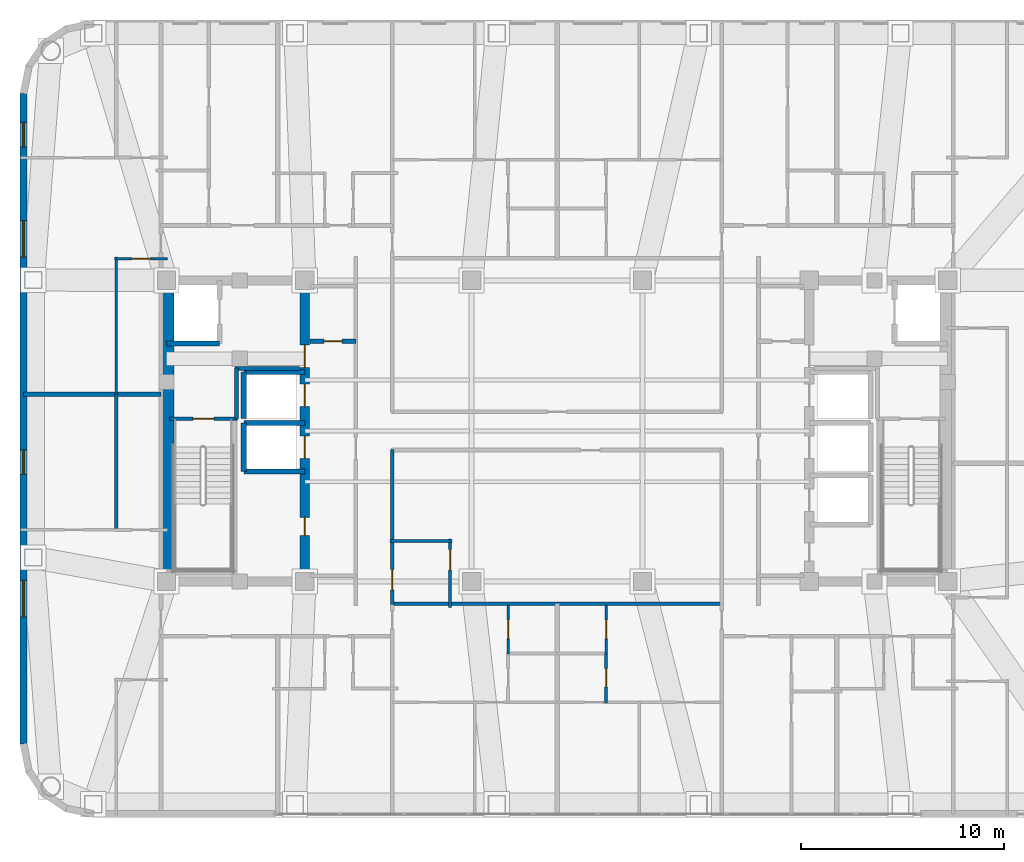
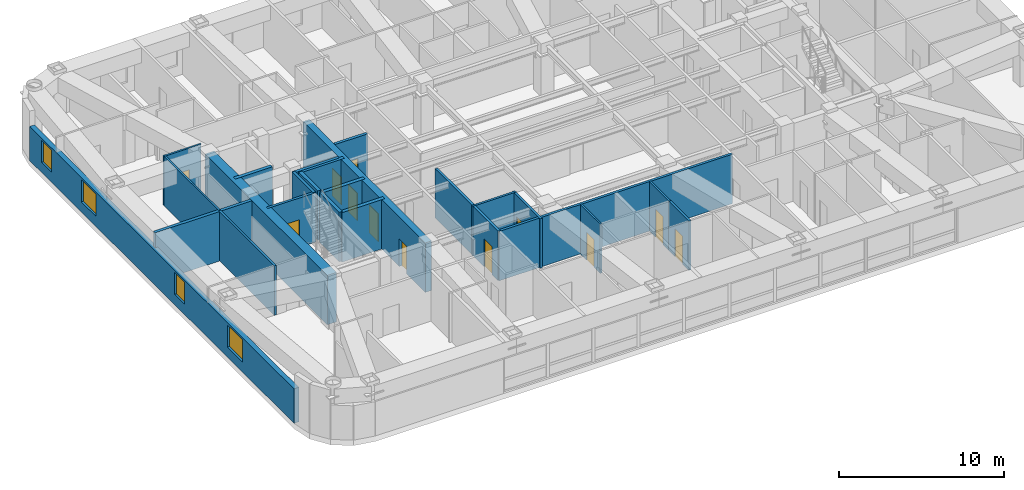
# One storey, part 9 of 16: 24 walls, 12 doors, 4 windows, 16 openings.
"""IFC4 building model written with IfcOpenShell, lengths in metres."""

from ifc_helpers import new_model, si_unit, direction, frame, frame_2d, origin, place, context, subcontext, project, spatial, rectangle, extrude, material, layer, layer_set, type_object, element, fill, save


model = new_model("IFC4")

# Units and contexts
model_context = context("Model", 3, precision=1e-05, world=origin(), true_north=direction((0.0, 1.0)))
body_context = subcontext(model_context, "Body", "Model", "MODEL_VIEW")
ifc_project = project(units=[si_unit("LENGTHUNIT", "METRE"), si_unit("AREAUNIT", "SQUARE_METRE"), si_unit("VOLUMEUNIT", "CUBIC_METRE"), si_unit("PLANEANGLEUNIT", "RADIAN"), si_unit("MASSUNIT", "GRAM", prefix="KILO")], contexts=[model_context])

# Site, building, storey
site_placement = place(None, origin())
site = spatial("IfcSite", under=ifc_project, at=site_placement, CompositionType="ELEMENT")
building_placement = place(site_placement, origin())
building = spatial("IfcBuilding", under=site, at=building_placement, Name="Voryun Gate Residences", CompositionType="ELEMENT")
storey_placement = place(building_placement, frame((0.0, 0.0, 200.199951171875)))
storey = spatial("IfcBuildingStorey", under=building, at=storey_placement, Name="L49", CompositionType="ELEMENT", Elevation=200.199951171875)

# Wall, openings, doors
ifc_material_1 = material(Name="Concrete C50/60", Category="concrete")
ifc_layer_1 = layer(ifc_material_1, 0.449951171875, Name="CW_CORE_450")
ifc_layer_set_1 = layer_set([ifc_layer_1], Name="Concrete C50/60")
wall_type_1 = type_object("IfcWallType", Name="CW_CORE_450", PredefinedType="SHEAR", material=ifc_layer_set_1)
wall_1_placement = place(storey_placement, frame((-12.39990234375, -7.39990234375, 0.0), z_axis=(0.0, 0.0, 1.0), x_axis=(0.0, 1.0, 0.0)))
wall_1 = element("IfcWall", 1, at=wall_1_placement, inside=storey, type_object=wall_type_1, Name="L49 Core shear wall CW-L49-WE", PredefinedType="SHEAR", context=body_context, shape_type="SweptSolid", body=[
    extrude(rectangle(XDim=14.7998046875, YDim=0.449951171875, at=frame_2d((7.39990234375, 0.0))), origin(), (0.0, 0.0, 1.0), 3.650146484375),
])
opening_1_placement = place(wall_1_placement, frame((6.050048828125, 0.0, 0.0)))
opening_1 = element("IfcOpeningElement", 2, at=opening_1_placement, cuts=wall_1, Name="Opening LD2", PredefinedType="OPENING", context=body_context, shape_type="SweptSolid", body=[
    extrude(rectangle(XDim=1.10009765625, YDim=2.050048828125, at=frame_2d((0.550048828125, 1.02490234375))), frame((0.0, 0.235107421875, 0.0), z_axis=(0.0, -1.0, 0.0), x_axis=(1.0, 0.0, 0.0)), (0.0, 0.0, 1.0), 0.469970703125),
])
opening_2_placement = place(wall_1_placement, frame((8.60009765625, 0.0, 0.0)))
opening_2 = element("IfcOpeningElement", 3, at=opening_2_placement, cuts=wall_1, Name="Opening LD2", PredefinedType="OPENING", context=body_context, shape_type="SweptSolid", body=[
    extrude(rectangle(XDim=1.10009765625, YDim=2.050048828125, at=frame_2d((0.550048828125, 1.02490234375))), frame((0.0, 0.235107421875, 0.0), z_axis=(0.0, -1.0, 0.0), x_axis=(1.0, 0.0, 0.0)), (0.0, 0.0, 1.0), 0.469970703125),
])
opening_3_placement = place(wall_1_placement, frame((10.530029296875, 0.0, 0.0)))
opening_3 = element("IfcOpeningElement", 4, at=opening_3_placement, cuts=wall_1, Name="Opening D-FD60-2", PredefinedType="OPENING", context=body_context, shape_type="SweptSolid", body=[
    extrude(rectangle(XDim=1.10009765625, YDim=2.050048828125, at=frame_2d((0.550048828125, 1.02490234375))), frame((0.0, 0.235107421875, 0.0), z_axis=(0.0, -1.0, 0.0), x_axis=(1.0, 0.0, 0.0)), (0.0, 0.0, 1.0), 0.469970703125),
])
opening_4_placement = place(wall_1_placement, frame((2.25, 0.0, 0.0)))
opening_4 = element("IfcOpeningElement", 5, at=opening_4_placement, cuts=wall_1, Name="Opening D-FD60-4", PredefinedType="OPENING", context=body_context, shape_type="SweptSolid", body=[
    extrude(rectangle(XDim=0.89990234375, YDim=2.050048828125, at=frame_2d((0.449951171875, 1.02490234375))), frame((0.0, 0.235107421875, 0.0), z_axis=(0.0, -1.0, 0.0), x_axis=(1.0, 0.0, 0.0)), (0.0, 0.0, 1.0), 0.469970703125),
])
ifc_material_2 = material(Name="Painted steel fire door", Category="steel")
door_type_1 = type_object("IfcDoorType", Name="DR_FD60_FFLOB_1100", OperationType="NOTDEFINED", PredefinedType="DOOR", material=ifc_material_2)
door_1_placement = place(opening_3_placement, origin())
door_1 = element("IfcDoor", 6, at=door_1_placement, inside=storey, type_object=door_type_1, Name="Door DR-L49-CLOB-W", OperationType="SINGLE_SWING_LEFT", OverallHeight=2.050048828125, OverallWidth=1.10009765625, PredefinedType="DOOR", context=body_context, shape_type="SweptSolid", body=[
    extrude(rectangle(XDim=1.10009765625, YDim=2.050048828125, at=frame_2d((0.550048828125, 1.02490234375))), frame((0.0, 0.02490234375, 0.0), z_axis=(0.0, -1.0, 0.0), x_axis=(1.0, 0.0, 0.0)), (0.0, 0.0, 1.0), 0.050048828125),
])
fill(opening_3, door_1)
ifc_material_3 = material(Name="Painted steel fire door", Category="steel")
door_type_2 = type_object("IfcDoorType", Name="DR_FD60_RISER_900", OperationType="NOTDEFINED", PredefinedType="DOOR", material=ifc_material_3)
door_2_placement = place(opening_4_placement, origin())
door_2 = element("IfcDoor", 7, at=door_2_placement, inside=storey, type_object=door_type_2, Name="Door DR-L49-RECW1", OperationType="SINGLE_SWING_LEFT", OverallHeight=2.050048828125, OverallWidth=0.89990234375, PredefinedType="DOOR", context=body_context, shape_type="SweptSolid", body=[
    extrude(rectangle(XDim=0.89990234375, YDim=2.050048828125, at=frame_2d((0.449951171875, 1.02490234375))), frame((0.0, 0.02490234375, 0.0), z_axis=(0.0, -1.0, 0.0), x_axis=(1.0, 0.0, 0.0)), (0.0, 0.0, 1.0), 0.050048828125),
])
fill(opening_4, door_2)
ifc_material_4 = material(Name="Anodised aluminium", Category="aluminium")
door_type_3 = type_object("IfcDoorType", Name="DR_LD_PASS_1100", OperationType="NOTDEFINED", PredefinedType="DOOR", material=ifc_material_4)
door_3_placement = place(opening_1_placement, origin())
door_3 = element("IfcDoor", 8, at=door_3_placement, inside=storey, type_object=door_type_3, Name="Lift EL-P4 sliding landing door L49", OperationType="SLIDING_TO_LEFT", OverallHeight=2.050048828125, OverallWidth=1.10009765625, PredefinedType="DOOR", context=body_context, shape_type="SweptSolid", body=[
    extrude(rectangle(XDim=1.10009765625, YDim=2.050048828125, at=frame_2d((0.550048828125, 1.02490234375))), frame((0.0, 0.02490234375, 0.0), z_axis=(0.0, -1.0, 0.0), x_axis=(1.0, 0.0, 0.0)), (0.0, 0.0, 1.0), 0.050048828125),
])
fill(opening_1, door_3)
door_4_placement = place(opening_2_placement, origin())
door_4 = element("IfcDoor", 9, at=door_4_placement, inside=storey, type_object=door_type_3, Name="Lift EL-P7 sliding landing door L49", OperationType="SLIDING_TO_LEFT", OverallHeight=2.050048828125, OverallWidth=1.10009765625, PredefinedType="DOOR", context=body_context, shape_type="SweptSolid", body=[
    extrude(rectangle(XDim=1.10009765625, YDim=2.050048828125, at=frame_2d((0.550048828125, 1.02490234375))), frame((0.0, 0.02490234375, 0.0), z_axis=(0.0, -1.0, 0.0), x_axis=(1.0, 0.0, 0.0)), (0.0, 0.0, 1.0), 0.050048828125),
])
fill(opening_2, door_4)

# Wall
ifc_material_5 = material(Name="Concrete C60/75", Category="concrete")
ifc_layer_2 = layer(ifc_material_5, 0.64990234375, Name="CW_CORE_650")
ifc_layer_set_2 = layer_set([ifc_layer_2], Name="Concrete C60/75")
wall_type_2 = type_object("IfcWallType", Name="CW_CORE_650", PredefinedType="SHEAR", material=ifc_layer_set_2)
wall_2_placement = place(storey_placement, frame((-19.14501953125, -7.39990234375, 0.0), z_axis=(0.0, 0.0, 1.0), x_axis=(0.0, 1.0, 0.0)))
element("IfcWall", 10, at=wall_2_placement, inside=storey, type_object=wall_type_2, Name="L49 Core shear wall CW-L49-WW", PredefinedType="SHEAR", context=body_context, shape_type="SweptSolid", body=[
    extrude(rectangle(XDim=14.7998046875, YDim=0.64990234375, at=frame_2d((7.39990234375, 0.0))), origin(), (0.0, 0.0, 1.0), 3.650146484375),
])

# Wall, opening, door
ifc_material_6 = material(Name="Gypsum acoustic fireboard")
ifc_layer_3 = layer(ifc_material_6, 0.179931640625, Name="W_CORR_RATED_180")
ifc_layer_set_3 = layer_set([ifc_layer_3], Name="Gypsum acoustic fireboard")
wall_type_3 = type_object("IfcWallType", Name="W_CORR_RATED_180", PredefinedType="PARTITIONING", material=ifc_layer_set_3)
wall_3_placement = place(storey_placement, frame((-19.06005859375, 0.60009765625, 0.0), z_axis=(0.0, 0.0, 1.0), x_axis=(1.0, 0.0, 0.0)))
wall_3 = element("IfcWall", 11, at=wall_3_placement, inside=storey, type_object=wall_type_3, Name="Partition wall WP-L49-STV-W", PredefinedType="PARTITIONING", context=body_context, shape_type="SweptSolid", body=[
    extrude(rectangle(XDim=3.360107421875, YDim=0.179931640625, at=frame_2d((1.68017578125, 0.0))), origin(), (0.0, 0.0, 1.0), 3.650146484375),
])
opening_5_placement = place(wall_3_placement, frame((1.155029296875, 0.0, 0.0)))
opening_5 = element("IfcOpeningElement", 12, at=opening_5_placement, cuts=wall_3, Name="Opening D-FD60-1", PredefinedType="OPENING", context=body_context, shape_type="SweptSolid", body=[
    extrude(rectangle(XDim=1.050048828125, YDim=2.050048828125, at=frame_2d((0.52490234375, 1.02490234375))), frame((0.0, 0.099853515625, 0.0), z_axis=(0.0, -1.0, 0.0), x_axis=(1.0, 0.0, 0.0)), (0.0, 0.0, 1.0), 0.199951171875),
])
ifc_material_7 = material(Name="Painted steel fire door", Category="steel")
door_type_4 = type_object("IfcDoorType", Name="DR_FD60_STAIR_1050", OperationType="NOTDEFINED", PredefinedType="DOOR", material=ifc_material_7)
door_5_placement = place(opening_5_placement, origin())
door_5 = element("IfcDoor", 13, at=door_5_placement, inside=storey, type_object=door_type_4, Name="Door DR-L49-ST-W", OperationType="SINGLE_SWING_LEFT", OverallHeight=2.050048828125, OverallWidth=1.050048828125, PredefinedType="DOOR", context=body_context, shape_type="SweptSolid", body=[
    extrude(rectangle(XDim=1.050048828125, YDim=2.050048828125, at=frame_2d((0.52490234375, 1.02490234375))), frame((0.0, 0.02490234375, 0.0), z_axis=(0.0, -1.0, 0.0), x_axis=(1.0, 0.0, 0.0)), (0.0, 0.0, 1.0), 0.050048828125),
])
fill(opening_5, door_5)

# Wall
wall_4_placement = place(storey_placement, frame((-8.14990234375, -8.489990234375, 0.0), z_axis=(0.0, 0.0, 1.0), x_axis=(1.0, 0.0, 0.0)))
element("IfcWall", 14, at=wall_4_placement, inside=storey, type_object=wall_type_3, Name="Partition wall WP-L49-Z2S", PredefinedType="PARTITIONING", context=body_context, shape_type="SweptSolid", body=[
    extrude(rectangle(XDim=16.2998046875, YDim=0.179931640625, at=frame_2d((8.14990234375, 0.0))), origin(), (0.0, 0.0, 1.0), 3.650146484375),
])

# Wall, opening, door
wall_5_placement = place(storey_placement, frame((-8.10009765625, -8.530029296875, 0.0), z_axis=(0.0, 0.0, 1.0), x_axis=(0.0, 1.0, 0.0)))
wall_5 = element("IfcWall", 15, at=wall_5_placement, inside=storey, type_object=wall_type_3, Name="Partition wall WP-L49-Z2WL2", PredefinedType="PARTITIONING", context=body_context, shape_type="SweptSolid", body=[
    extrude(rectangle(XDim=7.610107421875, YDim=0.179931640625, at=frame_2d((3.80517578125, 0.0))), origin(), (0.0, 0.0, 1.0), 3.650146484375),
])
opening_6_placement = place(wall_5_placement, frame((0.717529296875, 0.0, 0.0)))
opening_6 = element("IfcOpeningElement", 16, at=opening_6_placement, cuts=wall_5, Name="Opening D-AWC-1", PredefinedType="OPENING", context=body_context, shape_type="SweptSolid", body=[
    extrude(rectangle(XDim=1.0, YDim=2.050048828125, at=frame_2d((0.5, 1.02490234375))), frame((0.0, 0.099853515625, 0.0), z_axis=(0.0, -1.0, 0.0), x_axis=(1.0, 0.0, 0.0)), (0.0, 0.0, 1.0), 0.199951171875),
])
ifc_material_8 = material(Name="Architectural oak veneer")
door_type_5 = type_object("IfcDoorType", Name="DR_ACC_WC_1000", OperationType="NOTDEFINED", PredefinedType="DOOR", material=ifc_material_8)
door_6_placement = place(opening_6_placement, origin())
door_6 = element("IfcDoor", 17, at=door_6_placement, inside=storey, type_object=door_type_5, Name="Door DR-L49-CMWC-D", OperationType="SINGLE_SWING_LEFT", OverallHeight=2.050048828125, OverallWidth=1.0, PredefinedType="DOOR", context=body_context, shape_type="SweptSolid", body=[
    extrude(rectangle(XDim=1.0, YDim=2.050048828125, at=frame_2d((0.5, 1.02490234375))), frame((0.0, 0.02490234375, 0.0), z_axis=(0.0, -1.0, 0.0), x_axis=(1.0, 0.0, 0.0)), (0.0, 0.0, 1.0), 0.050048828125),
])
fill(opening_6, door_6)

# Wall, openings, windows
ifc_material_9 = material(Name="Charcoal terracotta masonry", Category="masonry")
ifc_layer_4 = layer(ifc_material_9, 0.340087890625, Name="W_EXT_TERRACOTTA_340")
ifc_layer_set_4 = layer_set([ifc_layer_4], Name="Charcoal terracotta masonry")
wall_type_4 = type_object("IfcWallType", Name="W_EXT_TERRACOTTA_340", PredefinedType="ELEMENTEDWALL", material=ifc_layer_set_4)
wall_6_placement = place(storey_placement, frame((-26.22998046875, -15.38330078125, 0.0), z_axis=(0.0, 0.0, 1.0), x_axis=(0.0, 1.0, 0.0)))
wall_6 = element("IfcWall", 18, at=wall_6_placement, inside=storey, type_object=wall_type_4, Name="Exterior wall WEXT-L49-06", PredefinedType="ELEMENTEDWALL", context=body_context, shape_type="SweptSolid", body=[
    extrude(rectangle(XDim=31.966552734375, YDim=0.340087890625, at=frame_2d((15.9833984375, 0.0))), origin(), (0.0, 0.0, 1.0), 2.5400390625),
])
opening_7_placement = place(wall_6_placement, frame((6.24169921875, 0.0, 0.75)))
opening_7 = element("IfcOpeningElement", 19, at=opening_7_placement, cuts=wall_6, Name="Opening WN1", PredefinedType="OPENING", context=body_context, shape_type="SweptSolid", body=[
    extrude(rectangle(XDim=1.800048828125, YDim=1.6298828125, at=frame_2d((0.89990234375, 0.81494140625))), frame((0.0, 0.179931640625, 0.0), z_axis=(0.0, -1.0, 0.0), x_axis=(1.0, 0.0, 0.0)), (0.0, 0.0, 1.0), 0.360107421875),
])
opening_8_placement = place(wall_6_placement, frame((23.925048828125, 0.0, 0.75)))
opening_8 = element("IfcOpeningElement", 20, at=opening_8_placement, cuts=wall_6, Name="Opening WN1", PredefinedType="OPENING", context=body_context, shape_type="SweptSolid", body=[
    extrude(rectangle(XDim=1.800048828125, YDim=1.6298828125, at=frame_2d((0.89990234375, 0.81494140625))), frame((0.0, 0.179931640625, 0.0), z_axis=(0.0, -1.0, 0.0), x_axis=(1.0, 0.0, 0.0)), (0.0, 0.0, 1.0), 0.360107421875),
])
opening_9_placement = place(wall_6_placement, frame((13.25341796875, 0.0, 0.75)))
opening_9 = element("IfcOpeningElement", 21, at=opening_9_placement, cuts=wall_6, Name="Opening WN6", PredefinedType="OPENING", context=body_context, shape_type="SweptSolid", body=[
    extrude(rectangle(XDim=1.199951171875, YDim=1.6298828125, at=frame_2d((0.60009765625, 0.81494140625))), frame((0.0, 0.179931640625, 0.0), z_axis=(0.0, -1.0, 0.0), x_axis=(1.0, 0.0, 0.0)), (0.0, 0.0, 1.0), 0.360107421875),
])
opening_10_placement = place(wall_6_placement, frame((29.348388671875, 0.0, 0.75)))
opening_10 = element("IfcOpeningElement", 22, at=opening_10_placement, cuts=wall_6, Name="Opening WN6", PredefinedType="OPENING", context=body_context, shape_type="SweptSolid", body=[
    extrude(rectangle(XDim=1.199951171875, YDim=1.6298828125, at=frame_2d((0.60009765625, 0.81494140625))), frame((0.0, 0.179931640625, 0.0), z_axis=(0.0, -1.0, 0.0), x_axis=(1.0, 0.0, 0.0)), (0.0, 0.0, 1.0), 0.360107421875),
])
ifc_material_10 = material(Name="Laminated low-E glass", Category="glass")
window_type_1 = type_object("IfcWindowType", Name="WN_POD_SLOT_1200", PartitioningType="SINGLE_PANEL", PredefinedType="WINDOW", material=ifc_material_10)
window_1_placement = place(opening_9_placement, origin())
window_1 = element("IfcWindow", 23, at=window_1_placement, inside=storey, type_object=window_type_1, Name="Window WN-L49-DWFIX-09", OverallHeight=1.6298828125, OverallWidth=1.199951171875, PartitioningType="SINGLE_PANEL", PredefinedType="WINDOW", context=body_context, shape_type="SweptSolid", body=[
    extrude(rectangle(XDim=1.199951171875, YDim=1.6298828125, at=frame_2d((0.60009765625, 0.81494140625))), frame((0.0, 0.030029296875, 0.0), z_axis=(0.0, -1.0, 0.0), x_axis=(1.0, 0.0, 0.0)), (0.0, 0.0, 1.0), 0.06005859375),
])
fill(opening_9, window_1)
window_2_placement = place(opening_10_placement, origin())
window_2 = element("IfcWindow", 24, at=window_2_placement, inside=storey, type_object=window_type_1, Name="Window WN-L49-DWFIX-10", OverallHeight=1.6298828125, OverallWidth=1.199951171875, PartitioningType="SINGLE_PANEL", PredefinedType="WINDOW", context=body_context, shape_type="SweptSolid", body=[
    extrude(rectangle(XDim=1.199951171875, YDim=1.6298828125, at=frame_2d((0.60009765625, 0.81494140625))), frame((0.0, 0.030029296875, 0.0), z_axis=(0.0, -1.0, 0.0), x_axis=(1.0, 0.0, 0.0)), (0.0, 0.0, 1.0), 0.06005859375),
])
fill(opening_10, window_2)
ifc_material_11 = material(Name="Laminated low-E glass", Category="glass")
window_type_2 = type_object("IfcWindowType", Name="WN_RES_PUNCH_1800", PartitioningType="SINGLE_PANEL", PredefinedType="WINDOW", material=ifc_material_11)
window_3_placement = place(opening_7_placement, origin())
window_3 = element("IfcWindow", 25, at=window_3_placement, inside=storey, type_object=window_type_2, Name="Window WN-WEXT-L49-06-01", OverallHeight=1.6298828125, OverallWidth=1.800048828125, PartitioningType="SINGLE_PANEL", PredefinedType="WINDOW", context=body_context, shape_type="SweptSolid", body=[
    extrude(rectangle(XDim=1.800048828125, YDim=1.6298828125, at=frame_2d((0.89990234375, 0.81494140625))), frame((0.0, 0.030029296875, 0.0), z_axis=(0.0, -1.0, 0.0), x_axis=(1.0, 0.0, 0.0)), (0.0, 0.0, 1.0), 0.06005859375),
])
fill(opening_7, window_3)
window_4_placement = place(opening_8_placement, origin())
window_4 = element("IfcWindow", 26, at=window_4_placement, inside=storey, type_object=window_type_2, Name="Window WN-WEXT-L49-06-02", OverallHeight=1.6298828125, OverallWidth=1.800048828125, PartitioningType="SINGLE_PANEL", PredefinedType="WINDOW", context=body_context, shape_type="SweptSolid", body=[
    extrude(rectangle(XDim=1.800048828125, YDim=1.6298828125, at=frame_2d((0.89990234375, 0.81494140625))), frame((0.0, 0.030029296875, 0.0), z_axis=(0.0, -1.0, 0.0), x_axis=(1.0, 0.0, 0.0)), (0.0, 0.0, 1.0), 0.06005859375),
])
fill(opening_8, window_4)

# Walls
ifc_material_12 = material(Name="Concrete C40/50", Category="concrete")
ifc_layer_5 = layer(ifc_material_12, 0.199951171875, Name="W_FF_LOBBY_200")
ifc_layer_set_5 = layer_set([ifc_layer_5], Name="Concrete C40/50")
wall_type_5 = type_object("IfcWallType", Name="W_FF_LOBBY_200", PredefinedType="PARTITIONING", material=ifc_layer_set_5)
wall_7_placement = place(storey_placement, frame((-15.760009765625, 0.580078125, 0.0), z_axis=(0.0, 0.0, 1.0), x_axis=(0.0, 1.0, 0.0)))
element("IfcWall", 27, at=wall_7_placement, inside=storey, type_object=wall_type_5, Name="Partition wall WP-L49-FFP0-W", PredefinedType="PARTITIONING", context=body_context, shape_type="SweptSolid", body=[
    extrude(rectangle(XDim=2.52001953125, YDim=0.199951171875, at=frame_2d((1.260009765625, 0.0))), origin(), (0.0, 0.0, 1.0), 3.650146484375),
])
wall_8_placement = place(storey_placement, frame((-15.820068359375, 3.06005859375, 0.0), z_axis=(0.0, 0.0, 1.0), x_axis=(1.0, 0.0, 0.0)))
element("IfcWall", 28, at=wall_8_placement, inside=storey, type_object=wall_type_5, Name="Partition wall WP-L49-FFPS-W", PredefinedType="PARTITIONING", context=body_context, shape_type="SweptSolid", body=[
    extrude(rectangle(XDim=3.16015625, YDim=0.199951171875, at=frame_2d((1.580078125, 0.0))), origin(), (0.0, 0.0, 1.0), 3.650146484375),
])

# Wall, opening, door
wall_9_placement = place(storey_placement, frame((-12.14990234375, 4.409912109375, 0.0), z_axis=(0.0, 0.0, 1.0), x_axis=(1.0, 0.0, 0.0)))
wall_9 = element("IfcWall", 29, at=wall_9_placement, inside=storey, type_object=wall_type_5, Name="Partition wall WP-L49-CSFLKS-W", PredefinedType="PARTITIONING", context=body_context, shape_type="SweptSolid", body=[
    extrude(rectangle(XDim=2.27001953125, YDim=0.199951171875, at=frame_2d((1.135009765625, 0.0))), origin(), (0.0, 0.0, 1.0), 3.650146484375),
])
opening_11_placement = place(wall_9_placement, frame((0.68505859375, 0.0, 0.0)))
opening_11 = element("IfcOpeningElement", 30, at=opening_11_placement, cuts=wall_9, Name="Opening D-FD60-4", PredefinedType="OPENING", context=body_context, shape_type="SweptSolid", body=[
    extrude(rectangle(XDim=0.89990234375, YDim=2.050048828125, at=frame_2d((0.449951171875, 1.02490234375))), frame((0.0, 0.110107421875, 0.0), z_axis=(0.0, -1.0, 0.0), x_axis=(1.0, 0.0, 0.0)), (0.0, 0.0, 1.0), 0.219970703125),
])
door_7_placement = place(opening_11_placement, origin())
door_7 = element("IfcDoor", 31, at=door_7_placement, inside=storey, type_object=door_type_2, Name="Door DR-L49-CSFLK-W", OperationType="SINGLE_SWING_LEFT", OverallHeight=2.050048828125, OverallWidth=0.89990234375, PredefinedType="DOOR", context=body_context, shape_type="SweptSolid", body=[
    extrude(rectangle(XDim=0.89990234375, YDim=2.050048828125, at=frame_2d((0.449951171875, 1.02490234375))), frame((0.0, 0.02490234375, 0.0), z_axis=(0.0, -1.0, 0.0), x_axis=(1.0, 0.0, 0.0)), (0.0, 0.0, 1.0), 0.050048828125),
])
fill(opening_11, door_7)

# Walls
ifc_material_13 = material(Name="Concrete C40/50", Category="concrete")
ifc_layer_6 = layer(ifc_material_13, 0.219970703125, Name="W_PARTY_ACOUSTIC_220")
ifc_layer_set_6 = layer_set([ifc_layer_6], Name="Concrete C40/50")
wall_type_6 = type_object("IfcWallType", Name="W_PARTY_ACOUSTIC_220", PredefinedType="PARTITIONING", material=ifc_layer_set_6)
wall_10_placement = place(storey_placement, frame((-19.469970703125, 1.800048828125, 0.0), z_axis=(0.0, 0.0, 1.0), x_axis=(-1.0, 0.0, 0.0)))
element("IfcWall", 32, at=wall_10_placement, inside=storey, type_object=wall_type_6, Name="Partition wall WP-L49-WPTY", PredefinedType="PARTITIONING", context=body_context, shape_type="SweptSolid", body=[
    extrude(rectangle(XDim=6.760009765625, YDim=0.219970703125, at=frame_2d((3.3798828125, 0.0))), origin(), (0.0, 0.0, 1.0), 3.650146484375),
])
ifc_material_14 = material(Name="Concrete C50/60", Category="concrete")
ifc_layer_7 = layer(ifc_material_14, 0.25, Name="W_SHAFT_RC250")
ifc_layer_set_7 = layer_set([ifc_layer_7], Name="Concrete C50/60")
wall_type_7 = type_object("IfcWallType", Name="W_SHAFT_RC250", PredefinedType="SOLIDWALL", material=ifc_layer_set_7)
wall_11_placement = place(storey_placement, frame((-19.199951171875, 4.300048828125, 0.0), z_axis=(0.0, 0.0, 1.0), x_axis=(1.0, 0.0, 0.0)))
element("IfcWall", 33, at=wall_11_placement, inside=storey, type_object=wall_type_7, Name="Lift shaft wall WSH-L49-EL-FF-W1-S", PredefinedType="SOLIDWALL", context=body_context, shape_type="SweptSolid", body=[
    extrude(rectangle(XDim=2.599853515625, YDim=0.25, at=frame_2d((1.2998046875, 0.0))), origin(), (0.0, 0.0, 1.0), 3.650146484375),
])
for number, where, z_axis, x_axis, name in (
    (34, (-15.39990234375, -2.0, 0.0), (0.0, 0.0, 1.0), (1.0, 0.0, 0.0), "Lift shaft wall WSH-L49-EL-P4-S"),
    (35, (-12.39990234375, 0.39990234375, 0.0), (0.0, 0.0, 1.0), (-1.0, 0.0, 0.0), "Lift shaft wall WSH-L49-EL-P4-N"),
):
    element("IfcWall", number, at=place(storey_placement, frame(where, z_axis=z_axis, x_axis=x_axis)), inside=storey, type_object=wall_type_7, Name=name, PredefinedType="SOLIDWALL", context=body_context, shape_type="SweptSolid", body=[
        extrude(rectangle(XDim=3.0, YDim=0.25, at=frame_2d((1.5, 0.0))), origin(), (0.0, 0.0, 1.0), 3.650146484375),
    ])
wall_12_placement = place(storey_placement, frame((-15.39990234375, 0.39990234375, 0.0), z_axis=(0.0, 0.0, 1.0), x_axis=(0.0, -1.0, 0.0)))
element("IfcWall", 36, at=wall_12_placement, inside=storey, type_object=wall_type_7, Name="Lift shaft wall WSH-L49-EL-P4-W", PredefinedType="SOLIDWALL", context=body_context, shape_type="SweptSolid", body=[
    extrude(rectangle(XDim=2.39990234375, YDim=0.25, at=frame_2d((1.199951171875, 0.0))), origin(), (0.0, 0.0, 1.0), 3.650146484375),
])
wall_13_placement = place(storey_placement, frame((-12.39990234375, 2.89990234375, 0.0), z_axis=(0.0, 0.0, 1.0), x_axis=(-1.0, 0.0, 0.0)))
element("IfcWall", 37, at=wall_13_placement, inside=storey, type_object=wall_type_7, Name="Lift shaft wall WSH-L49-EL-P7-N", PredefinedType="SOLIDWALL", context=body_context, shape_type="SweptSolid", body=[
    extrude(rectangle(XDim=3.0, YDim=0.25, at=frame_2d((1.5, 0.0))), origin(), (0.0, 0.0, 1.0), 3.650146484375),
])
wall_14_placement = place(storey_placement, frame((-15.39990234375, 2.89990234375, 0.0), z_axis=(0.0, 0.0, 1.0), x_axis=(0.0, -1.0, 0.0)))
element("IfcWall", 38, at=wall_14_placement, inside=storey, type_object=wall_type_7, Name="Lift shaft wall WSH-L49-EL-P7-W", PredefinedType="SOLIDWALL", context=body_context, shape_type="SweptSolid", body=[
    extrude(rectangle(XDim=2.2998046875, YDim=0.25, at=frame_2d((1.14990234375, 0.0))), origin(), (0.0, 0.0, 1.0), 3.650146484375),
])

# Wall, opening, door
ifc_material_15 = material(Name="Gypsum acoustic partition")
ifc_layer_8 = layer(ifc_material_15, 0.125, Name="W_UNIT_PART_125")
ifc_layer_set_8 = layer_set([ifc_layer_8], Name="Gypsum acoustic partition")
wall_type_8 = type_object("IfcWallType", Name="W_UNIT_PART_125", PredefinedType="PARTITIONING", material=ifc_layer_set_8)
wall_15_placement = place(storey_placement, frame((-2.409912109375, -10.9599609375, 0.0), z_axis=(0.0, 0.0, 1.0), x_axis=(0.0, 1.0, 0.0)))
wall_15 = element("IfcWall", 39, at=wall_15_placement, inside=storey, type_object=wall_type_8, Name="Partition wall WP-L49-SC1-VK1", PredefinedType="PARTITIONING", context=body_context, shape_type="SweptSolid", body=[
    extrude(rectangle(XDim=2.409912109375, YDim=0.125, at=frame_2d((1.205078125, 0.0))), origin(), (0.0, 0.0, 1.0), 3.650146484375),
])
opening_12_placement = place(wall_15_placement, frame((0.7548828125, 0.0, 0.0)))
opening_12 = element("IfcOpeningElement", 40, at=opening_12_placement, cuts=wall_15, Name="Opening D-INT-2", PredefinedType="OPENING", context=body_context, shape_type="SweptSolid", body=[
    extrude(rectangle(XDim=0.89990234375, YDim=2.050048828125, at=frame_2d((0.449951171875, 1.02490234375))), frame((0.0, 0.072509765625, 0.0), z_axis=(0.0, -1.0, 0.0), x_axis=(1.0, 0.0, 0.0)), (0.0, 0.0, 1.0), 0.14501953125),
])
ifc_material_16 = material(Name="Architectural oak veneer")
door_type_6 = type_object("IfcDoorType", Name="DR_INT_BATH_900", OperationType="NOTDEFINED", PredefinedType="DOOR", material=ifc_material_16)
door_8_placement = place(opening_12_placement, origin())
door_8 = element("IfcDoor", 41, at=door_8_placement, inside=storey, type_object=door_type_6, Name="Door DR-L49-SC1-DK", OperationType="SINGLE_SWING_LEFT", OverallHeight=2.050048828125, OverallWidth=0.89990234375, PredefinedType="DOOR", context=body_context, shape_type="SweptSolid", body=[
    extrude(rectangle(XDim=0.89990234375, YDim=2.050048828125, at=frame_2d((0.449951171875, 1.02490234375))), frame((0.0, 0.02490234375, 0.0), z_axis=(0.0, -1.0, 0.0), x_axis=(1.0, 0.0, 0.0)), (0.0, 0.0, 1.0), 0.050048828125),
])
fill(opening_12, door_8)

wall_16_placement = place(storey_placement, frame((2.409912109375, -10.9599609375, 0.0), z_axis=(0.0, 0.0, 1.0), x_axis=(0.0, 1.0, 0.0)))
wall_16 = element("IfcWall", 42, at=wall_16_placement, inside=storey, type_object=wall_type_8, Name="Partition wall WP-L49-SC2-VK1", PredefinedType="PARTITIONING", context=body_context, shape_type="SweptSolid", body=[
    extrude(rectangle(XDim=2.409912109375, YDim=0.125, at=frame_2d((1.205078125, 0.0))), origin(), (0.0, 0.0, 1.0), 3.650146484375),
])
opening_13_placement = place(wall_16_placement, frame((0.7548828125, 0.0, 0.0)))
opening_13 = element("IfcOpeningElement", 43, at=opening_13_placement, cuts=wall_16, Name="Opening D-INT-2", PredefinedType="OPENING", context=body_context, shape_type="SweptSolid", body=[
    extrude(rectangle(XDim=0.89990234375, YDim=2.050048828125, at=frame_2d((0.449951171875, 1.02490234375))), frame((0.0, 0.072509765625, 0.0), z_axis=(0.0, -1.0, 0.0), x_axis=(1.0, 0.0, 0.0)), (0.0, 0.0, 1.0), 0.14501953125),
])
door_9_placement = place(opening_13_placement, origin())
door_9 = element("IfcDoor", 44, at=door_9_placement, inside=storey, type_object=door_type_6, Name="Door DR-L49-SC2-DK", OperationType="SINGLE_SWING_LEFT", OverallHeight=2.050048828125, OverallWidth=0.89990234375, PredefinedType="DOOR", context=body_context, shape_type="SweptSolid", body=[
    extrude(rectangle(XDim=0.89990234375, YDim=2.050048828125, at=frame_2d((0.449951171875, 1.02490234375))), frame((0.0, 0.02490234375, 0.0), z_axis=(0.0, -1.0, 0.0), x_axis=(1.0, 0.0, 0.0)), (0.0, 0.0, 1.0), 0.050048828125),
])
fill(opening_13, door_9)

wall_17_placement = place(storey_placement, frame((-21.75, 8.4599609375, 0.0), z_axis=(0.0, 0.0, 1.0), x_axis=(1.0, 0.0, 0.0)))
wall_17 = element("IfcWall", 45, at=wall_17_placement, inside=storey, type_object=wall_type_8, Name="Partition wall WP-L49-W2-IKA", PredefinedType="PARTITIONING", context=body_context, shape_type="SweptSolid", body=[
    extrude(rectangle(XDim=2.60009765625, YDim=0.125, at=frame_2d((1.300048828125, 0.0))), origin(), (0.0, 0.0, 1.0), 3.650146484375),
])
opening_14_placement = place(wall_17_placement, frame((0.824951171875, 0.0, 0.0)))
opening_14 = element("IfcOpeningElement", 46, at=opening_14_placement, cuts=wall_17, Name="Opening D-INT-1", PredefinedType="OPENING", context=body_context, shape_type="SweptSolid", body=[
    extrude(rectangle(XDim=0.949951171875, YDim=2.050048828125, at=frame_2d((0.47509765625, 1.02490234375))), frame((0.0, 0.072509765625, 0.0), z_axis=(0.0, -1.0, 0.0), x_axis=(1.0, 0.0, 0.0)), (0.0, 0.0, 1.0), 0.14501953125),
])
ifc_material_17 = material(Name="Architectural oak veneer")
door_type_7 = type_object("IfcDoorType", Name="DR_INT_ROOM_950", OperationType="NOTDEFINED", PredefinedType="DOOR", material=ifc_material_17)
door_10_placement = place(opening_14_placement, origin())
door_10 = element("IfcDoor", 47, at=door_10_placement, inside=storey, type_object=door_type_7, Name="Door DR-L49-W2-DK", OperationType="SINGLE_SWING_LEFT", OverallHeight=2.050048828125, OverallWidth=0.949951171875, PredefinedType="DOOR", context=body_context, shape_type="SweptSolid", body=[
    extrude(rectangle(XDim=0.949951171875, YDim=2.050048828125, at=frame_2d((0.47509765625, 1.02490234375))), frame((0.0, 0.02490234375, 0.0), z_axis=(0.0, -1.0, 0.0), x_axis=(1.0, 0.0, 0.0)), (0.0, 0.0, 1.0), 0.050048828125),
])
fill(opening_14, door_10)

# Wall
wall_18_placement = place(storey_placement, frame((-21.669921875, 1.820068359375, 0.0), z_axis=(0.0, 0.0, 1.0), x_axis=(0.0, 1.0, 0.0)))
element("IfcWall", 48, at=wall_18_placement, inside=storey, type_object=wall_type_8, Name="Partition wall WP-L49-W2-VTA", PredefinedType="PARTITIONING", context=body_context, shape_type="SweptSolid", body=[
    extrude(rectangle(XDim=6.719970703125, YDim=0.125, at=frame_2d((3.35986328125, 0.0))), origin(), (0.0, 0.0, 1.0), 3.650146484375),
])

# Wall, opening, door
ifc_material_18 = material(Name="Gypsum moisture-resistant partition")
ifc_layer_9 = layer(ifc_material_18, 0.14990234375, Name="W_WET_PLUMB_150")
ifc_layer_set_9 = layer_set([ifc_layer_9], Name="Gypsum moisture-resistant partition")
wall_type_9 = type_object("IfcWallType", Name="W_WET_PLUMB_150", PredefinedType="PLUMBINGWALL", material=ifc_layer_set_9)
wall_19_placement = place(storey_placement, frame((-5.260009765625, -8.669921875, 0.0), z_axis=(0.0, 0.0, 1.0), x_axis=(0.0, 1.0, 0.0)))
wall_19 = element("IfcWall", 49, at=wall_19_placement, inside=storey, type_object=wall_type_9, Name="Partition wall WP-L49-CMWCX", PredefinedType="PLUMBINGWALL", context=body_context, shape_type="SweptSolid", body=[
    extrude(rectangle(XDim=3.349853515625, YDim=0.14990234375, at=frame_2d((1.6748046875, 0.0))), origin(), (0.0, 0.0, 1.0), 3.650146484375),
])
opening_15_placement = place(wall_19_placement, frame((1.8349609375, 0.0, 0.0)))
opening_15 = element("IfcOpeningElement", 50, at=opening_15_placement, cuts=wall_19, Name="Opening D-AWC-1", PredefinedType="OPENING", context=body_context, shape_type="SweptSolid", body=[
    extrude(rectangle(XDim=1.0, YDim=2.050048828125, at=frame_2d((0.5, 1.02490234375))), frame((0.0, 0.0849609375, 0.0), z_axis=(0.0, -1.0, 0.0), x_axis=(1.0, 0.0, 0.0)), (0.0, 0.0, 1.0), 0.169921875),
])
door_11_placement = place(opening_15_placement, origin())
door_11 = element("IfcDoor", 51, at=door_11_placement, inside=storey, type_object=door_type_5, Name="Door DR-L49-CMWC", OperationType="SINGLE_SWING_LEFT", OverallHeight=2.050048828125, OverallWidth=1.0, PredefinedType="DOOR", context=body_context, shape_type="SweptSolid", body=[
    extrude(rectangle(XDim=1.0, YDim=2.050048828125, at=frame_2d((0.5, 1.02490234375))), frame((0.0, 0.02490234375, 0.0), z_axis=(0.0, -1.0, 0.0), x_axis=(1.0, 0.0, 0.0)), (0.0, 0.0, 1.0), 0.050048828125),
])
fill(opening_15, door_11)

# Wall
wall_20_placement = place(storey_placement, frame((-8.2099609375, -5.419921875, 0.0), z_axis=(0.0, 0.0, 1.0), x_axis=(1.0, 0.0, 0.0)))
element("IfcWall", 52, at=wall_20_placement, inside=storey, type_object=wall_type_9, Name="Partition wall WP-L49-CMWCY", PredefinedType="PLUMBINGWALL", context=body_context, shape_type="SweptSolid", body=[
    extrude(rectangle(XDim=3.050048828125, YDim=0.14990234375, at=frame_2d((1.52490234375, 0.0))), origin(), (0.0, 0.0, 1.0), 3.650146484375),
])

# Wall, opening, door
wall_21_placement = place(storey_placement, frame((2.409912109375, -13.3701171875, 0.0), z_axis=(0.0, 0.0, 1.0), x_axis=(0.0, 1.0, 0.0)))
wall_21 = element("IfcWall", 53, at=wall_21_placement, inside=storey, type_object=wall_type_9, Name="Partition wall WP-L49-SC2-VK2", PredefinedType="PLUMBINGWALL", context=body_context, shape_type="SweptSolid", body=[
    extrude(rectangle(XDim=2.47021484375, YDim=0.14990234375, at=frame_2d((1.235107421875, 0.0))), origin(), (0.0, 0.0, 1.0), 3.650146484375),
])
opening_16_placement = place(wall_21_placement, frame((0.784912109375, 0.0, 0.0)))
opening_16 = element("IfcOpeningElement", 54, at=opening_16_placement, cuts=wall_21, Name="Opening D-INT-2", PredefinedType="OPENING", context=body_context, shape_type="SweptSolid", body=[
    extrude(rectangle(XDim=0.89990234375, YDim=2.050048828125, at=frame_2d((0.449951171875, 1.02490234375))), frame((0.0, 0.0849609375, 0.0), z_axis=(0.0, -1.0, 0.0), x_axis=(1.0, 0.0, 0.0)), (0.0, 0.0, 1.0), 0.169921875),
])
door_12_placement = place(opening_16_placement, origin())
door_12 = element("IfcDoor", 55, at=door_12_placement, inside=storey, type_object=door_type_6, Name="Door DR-L49-SC2-DB", OperationType="SINGLE_SWING_RIGHT", OverallHeight=2.050048828125, OverallWidth=0.89990234375, PredefinedType="DOOR", context=body_context, shape_type="SweptSolid", body=[
    extrude(rectangle(XDim=0.89990234375, YDim=2.050048828125, at=frame_2d((0.449951171875, 1.02490234375))), frame((0.0, 0.02490234375, 0.0), z_axis=(0.0, -1.0, 0.0), x_axis=(1.0, 0.0, 0.0)), (0.0, 0.0, 1.0), 0.050048828125),
])
fill(opening_16, door_12)

# Wall
wall_22_placement = place(storey_placement, frame((-21.669921875, -4.93994140625, 0.0), z_axis=(0.0, 0.0, 1.0), x_axis=(0.0, 1.0, 0.0)))
element("IfcWall", 56, at=wall_22_placement, inside=storey, type_object=wall_type_9, Name="Partition wall WP-L49-W1-VTB", PredefinedType="PLUMBINGWALL", context=body_context, shape_type="SweptSolid", body=[
    extrude(rectangle(XDim=6.719970703125, YDim=0.14990234375, at=frame_2d((3.35986328125, 0.0))), origin(), (0.0, 0.0, 1.0), 3.650146484375),
])

save(model, "model.ifc")
